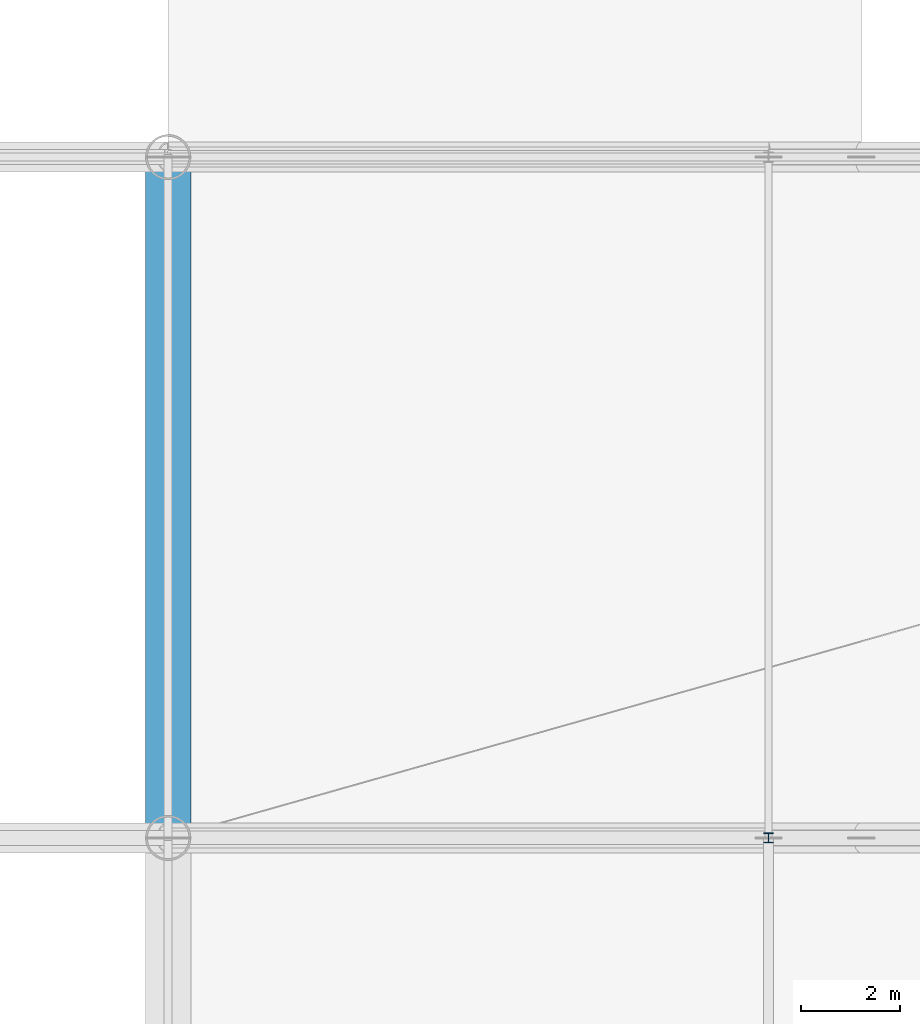
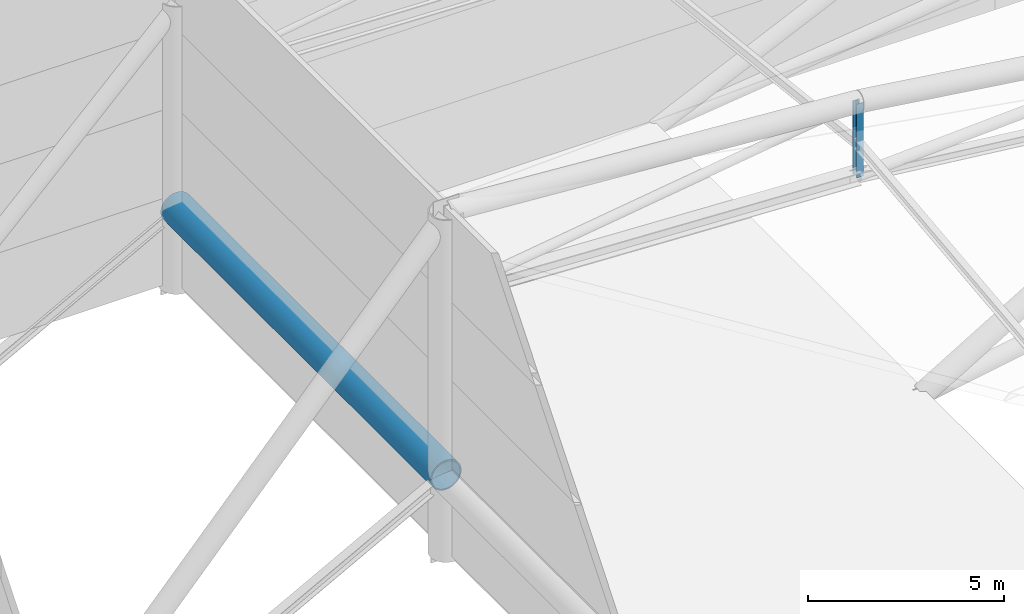
# One storey, part 20 of 36: 1 beam, 1 member.
"""IFC4 building model written with IfcOpenShell, lengths in metres."""

from ifc_helpers import new_model, si_unit, direction, frame, origin, origin_2d, place, context, subcontext, project, spatial, hollow_circle, i_section, extrude, material, material_profile, profile_set, type_object, element, save


model = new_model("IFC4")

# Units and contexts
model_context = context("Model", 3, precision=1e-05, world=origin(), true_north=direction((0.0, 1.0)))
body_context = subcontext(model_context, "Body", "Model", "MODEL_VIEW")
ifc_project = project(units=[si_unit("LENGTHUNIT", "METRE"), si_unit("AREAUNIT", "SQUARE_METRE"), si_unit("VOLUMEUNIT", "CUBIC_METRE"), si_unit("PLANEANGLEUNIT", "RADIAN"), si_unit("MASSUNIT", "GRAM", prefix="KILO")], contexts=[model_context])

# Site, building, storey
site_placement = place(None, origin())
site = spatial("IfcSite", under=ifc_project, at=site_placement, CompositionType="ELEMENT")
building_placement = place(site_placement, origin())
building = spatial("IfcBuilding", under=site, at=building_placement, Name="Linyun Crest Stadium", CompositionType="ELEMENT")
storey_placement = place(building_placement, frame((0.0, 0.0, 31.60009765625)))
storey = spatial("IfcBuildingStorey", under=building, at=storey_placement, Name="RF", CompositionType="ELEMENT", Elevation=31.60009765625)

# Beam
ifc_material_1 = material(Name="Steel Q420C", Category="steel")
ifc_material_profile_1 = material_profile(ifc_material_1, hollow_circle(Radius=0.45703125, WallThickness=0.0380859375, at=origin_2d()), Name="CHS 914x38")
ifc_profile_set_1 = profile_set([ifc_material_profile_1], Name="Steel Q420C")
beam_type = type_object("IfcBeamType", Name="HB02", PredefinedType="USERDEFINED", material=ifc_profile_set_1)
beam_placement = place(storey_placement, frame((-84.0, 29.625, 2.164794921875), z_axis=(0.0, 1.0, 0.0), x_axis=(-1.0, 0.0, 0.0)))
element("IfcBeam", 1, at=beam_placement, inside=storey, type_object=beam_type, Name="Roof Outer compression ring beam HB02 V1 14", ObjectType="RING BEAM", PredefinedType="USERDEFINED", context=body_context, shape_type="SweptSolid", body=[
    extrude(hollow_circle(Radius=0.45703125, WallThickness=0.0380859375, at=origin_2d()), origin(), (0.0, 0.0, 1.0), 13.75),
])

# Member
ifc_material_2 = material(Name="Steel Q355C", Category="steel")
ifc_material_profile_2 = material_profile(ifc_material_2, i_section(OverallWidth=0.199951171875, OverallDepth=0.199951171875, WebThickness=0.008056640625, FlangeThickness=0.011962890625, at=origin_2d()), Name="HW 200x200")
ifc_profile_set_2 = profile_set([ifc_material_profile_2], Name="Steel Q355C")
member_type = type_object("IfcMemberType", Name="TV02", PredefinedType="STRUT", material=ifc_profile_set_2)
member_placement = place(storey_placement, frame((-71.875, 29.625, 7.25), z_axis=(0.0, 0.0, 1.0), x_axis=(1.0, 0.0, 0.0)))
element("IfcMember", 2, at=member_placement, inside=storey, type_object=member_type, Name="Roof vertical strut TV02 V1 123", PredefinedType="STRUT", context=body_context, shape_type="SweptSolid", body=[
    extrude(i_section(OverallWidth=0.199951171875, OverallDepth=0.199951171875, WebThickness=0.008056640625, FlangeThickness=0.011962890625, at=origin_2d()), origin(), (0.0, 0.0, 1.0), 2.287841796875),
])

save(model, "model.ifc")
